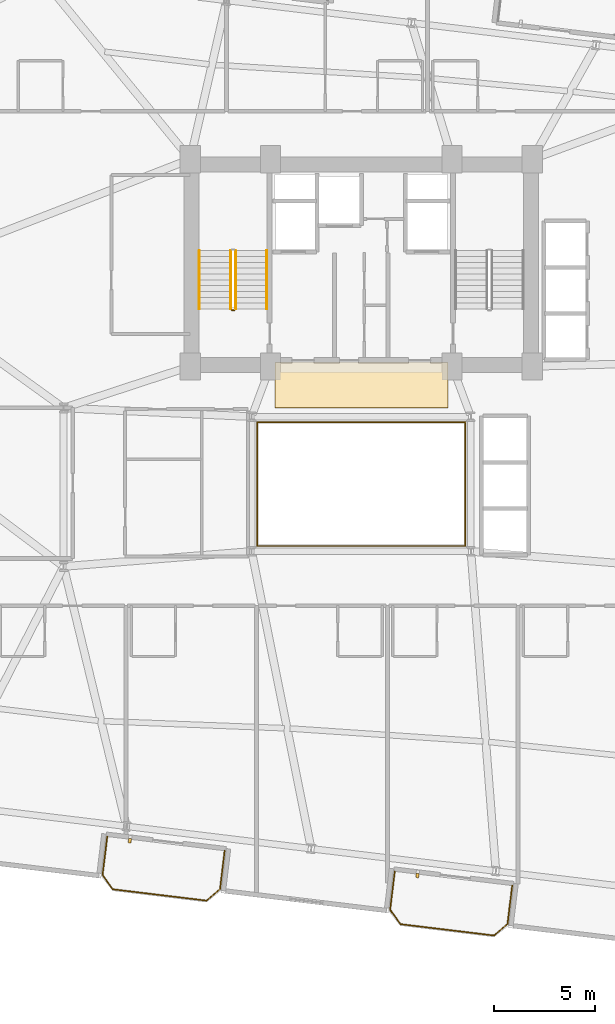
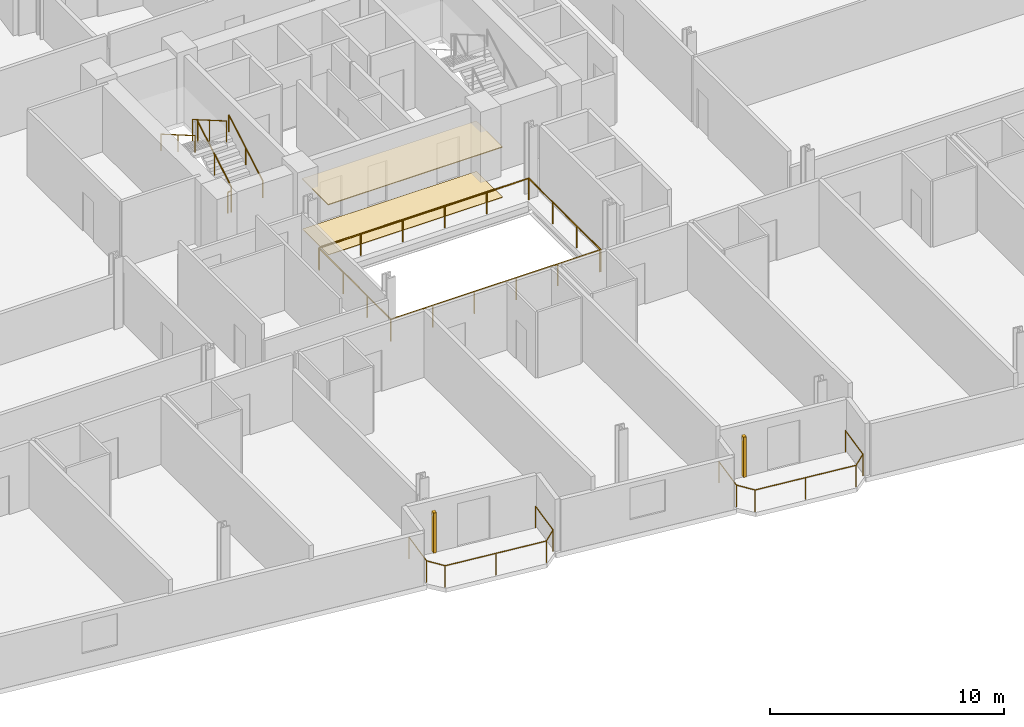
# One storey, part 25 of 26: 9 railings, 2 coverings, 2 shading devices.
"""IFC4 building model written with IfcOpenShell, lengths in metres."""

from ifc_helpers import new_model, si_unit, direction, frame, origin, origin_2d, place, context, subcontext, project, spatial, rectangle, circle, extrude, source, transform, mapped, material, layer, layer_set, type_object, element, save


model = new_model("IFC4")

# Units and contexts
model_context = context("Model", 3, precision=1e-05, world=origin(), true_north=direction((0.0, 1.0)))
body_context = subcontext(model_context, "Body", "Model", "MODEL_VIEW")
ifc_project = project(units=[si_unit("LENGTHUNIT", "METRE"), si_unit("AREAUNIT", "SQUARE_METRE"), si_unit("VOLUMEUNIT", "CUBIC_METRE"), si_unit("PLANEANGLEUNIT", "RADIAN"), si_unit("MASSUNIT", "GRAM", prefix="KILO")], contexts=[model_context])

# Site, building, storey
site_placement = place(None, origin())
site = spatial("IfcSite", under=ifc_project, at=site_placement, CompositionType="ELEMENT")
building_placement = place(site_placement, origin())
building = spatial("IfcBuilding", under=site, at=building_placement, Name="Varnelok Gate Tower", CompositionType="ELEMENT")
storey_placement = place(building_placement, frame((0.0, 0.0, 121.699951171875)))
storey = spatial("IfcBuildingStorey", under=building, at=storey_placement, Name="L30", CompositionType="ELEMENT", Elevation=121.699951171875)

# Railings
ifc_material_1 = material(Name="Tempered Laminated Balustrade Glass", Category="glass")
railing_type_1 = type_object("IfcRailingType", Name="RL-ATR-GUARD1150", PredefinedType="GUARDRAIL", material=ifc_material_1)
railing_1_placement = place(storey_placement, frame((34.02001953125, 25.929931640625, 0.0)))
element("IfcRailing", 1, at=railing_1_placement, inside=storey, type_object=railing_type_1, Name="L30 Internal Atrium South-West Guardrail", PredefinedType="GUARDRAIL", context=body_context, shape_type="SweptSolid", body=[
    extrude(circle(Radius=0.02392578125, at=origin_2d()), frame((0.0, 0.0, 1.1259765625), z_axis=(0.0, -1.0, 0.0), x_axis=(1.0, 0.0, 0.0)), (0.0, 0.0, 1.0), 6.10986328125),
    extrude(circle(Radius=0.02392578125, at=origin_2d()), frame((0.0, -6.10986328125, 1.1259765625), z_axis=(1.0, 0.0, 0.0), x_axis=(0.0, 1.0, 0.0)), (0.0, 0.0, 1.0), 10.31005859375),
    extrude(circle(Radius=0.02099609375, at=origin_2d()), origin(), (0.0, 0.0, 1.0), 1.101806640625),
    extrude(circle(Radius=0.02099609375, at=origin_2d()), frame((0.0, -2.03662109375, 0.0)), (0.0, 0.0, 1.0), 1.101806640625),
    extrude(circle(Radius=0.02099609375, at=origin_2d()), frame((0.0, -4.0732421875, 0.0)), (0.0, 0.0, 1.0), 1.101806640625),
    extrude(circle(Radius=0.02099609375, at=origin_2d()), frame((0.0, -6.10986328125, 0.0)), (0.0, 0.0, 1.0), 1.101806640625),
    extrude(circle(Radius=0.02099609375, at=origin_2d()), frame((2.06201171875, -6.10986328125, 0.0)), (0.0, 0.0, 1.0), 1.101806640625),
    extrude(circle(Radius=0.02099609375, at=origin_2d()), frame((4.1240234375, -6.10986328125, 0.0)), (0.0, 0.0, 1.0), 1.101806640625),
    extrude(circle(Radius=0.02099609375, at=origin_2d()), frame((6.18603515625, -6.10986328125, 0.0)), (0.0, 0.0, 1.0), 1.101806640625),
    extrude(circle(Radius=0.02099609375, at=origin_2d()), frame((8.248046875, -6.10986328125, 0.0)), (0.0, 0.0, 1.0), 1.101806640625),
    extrude(circle(Radius=0.02099609375, at=origin_2d()), frame((10.31005859375, -6.10986328125, 0.0)), (0.0, 0.0, 1.0), 1.101806640625),
])
railing_2_placement = place(storey_placement, frame((44.3798828125, 19.820068359375, 0.0)))
element("IfcRailing", 2, at=railing_2_placement, inside=storey, type_object=railing_type_1, Name="L30 Internal Atrium North-East Guardrail", PredefinedType="GUARDRAIL", context=body_context, shape_type="SweptSolid", body=[
    extrude(circle(Radius=0.02392578125, at=origin_2d()), frame((0.0, 0.0, 1.1259765625), z_axis=(0.0, 1.0, 0.0), x_axis=(-1.0, 0.0, 0.0)), (0.0, 0.0, 1.0), 6.159912109375),
    extrude(circle(Radius=0.02392578125, at=origin_2d()), frame((0.0, 6.159912109375, 1.1259765625), z_axis=(-1.0, 0.0, 0.0), x_axis=(0.0, -1.0, 0.0)), (0.0, 0.0, 1.0), 10.35986328125),
    extrude(circle(Radius=0.02099609375, at=origin_2d()), origin(), (0.0, 0.0, 1.0), 1.101806640625),
    extrude(circle(Radius=0.02099609375, at=origin_2d()), frame((0.0, 2.05322265625, 0.0)), (0.0, 0.0, 1.0), 1.101806640625),
    extrude(circle(Radius=0.02099609375, at=origin_2d()), frame((0.0, 4.106689453125, 0.0)), (0.0, 0.0, 1.0), 1.101806640625),
    extrude(circle(Radius=0.02099609375, at=origin_2d()), frame((0.0, 6.159912109375, 0.0)), (0.0, 0.0, 1.0), 1.101806640625),
    extrude(circle(Radius=0.02099609375, at=origin_2d()), frame((-2.072021484375, 6.159912109375, 0.0)), (0.0, 0.0, 1.0), 1.101806640625),
    extrude(circle(Radius=0.02099609375, at=origin_2d()), frame((-4.14404296875, 6.159912109375, 0.0)), (0.0, 0.0, 1.0), 1.101806640625),
    extrude(circle(Radius=0.02099609375, at=origin_2d()), frame((-6.2158203125, 6.159912109375, 0.0)), (0.0, 0.0, 1.0), 1.101806640625),
    extrude(circle(Radius=0.02099609375, at=origin_2d()), frame((-8.287841796875, 6.159912109375, 0.0)), (0.0, 0.0, 1.0), 1.101806640625),
    extrude(circle(Radius=0.02099609375, at=origin_2d()), frame((-10.35986328125, 6.159912109375, 0.0)), (0.0, 0.0, 1.0), 1.101806640625),
])
ifc_material_2 = material(Name="Low-E Laminated Double Glazing IGU", Category="glass")
railing_type_2 = type_object("IfcRailingType", Name="RL-BALC-1150", PredefinedType="BALUSTRADE", material=ifc_material_2)
railing_3_placement = place(storey_placement, frame((26.5703125, 5.375, 0.0)))
element("IfcRailing", 3, at=railing_3_placement, inside=storey, type_object=railing_type_2, Name="L30 South Terrace Balustrade 1", PredefinedType="BALUSTRADE", context=body_context, shape_type="SweptSolid", body=[
    extrude(circle(Radius=0.02392578125, at=origin_2d()), frame((0.0, 0.0, 1.1259765625), z_axis=(-0.120293392036, -0.992738384386, 0.0), x_axis=(0.992738384386, -0.120293392036, 0.0)), (0.0, 0.0, 1.0), 1.919921875),
    extrude(circle(Radius=0.02392578125, at=origin_2d()), frame((-0.23095703125, -1.906005859375, 1.1259765625), z_axis=(0.577971037086, -0.816057277579, 0.0), x_axis=(0.816057277579, 0.577971037086, 0.0)), (0.0, 0.0, 1.0), 0.877685546875),
    extrude(circle(Radius=0.02392578125, at=origin_2d()), frame((0.2763671875, -2.622314453125, 1.1259765625), z_axis=(0.992737542139, -0.120300342591, 0.0), x_axis=(0.120300342591, 0.992737542139, 0.0)), (0.0, 0.0, 1.0), 4.7001953125),
    extrude(circle(Radius=0.02392578125, at=origin_2d()), frame((4.9423828125, -3.187744140625, 1.1259765625), z_axis=(0.756303655992, 0.654220742513, 0.0), x_axis=(-0.654220742513, 0.756303655992, 0.0)), (0.0, 0.0, 1.0), 0.877685546875),
    extrude(circle(Radius=0.02392578125, at=origin_2d()), frame((5.606201171875, -2.613525390625, 1.1259765625), z_axis=(0.120418709125, 0.992723191274, 0.0), x_axis=(-0.992723191274, 0.120418709125, 0.0)), (0.0, 0.0, 1.0), 1.919921875),
    extrude(circle(Radius=0.02099609375, at=origin_2d()), origin(), (0.0, 0.0, 1.0), 1.101806640625),
    extrude(circle(Radius=0.02099609375, at=origin_2d()), frame((-0.23095703125, -1.906005859375, 0.0)), (0.0, 0.0, 1.0), 1.101806640625),
    extrude(circle(Radius=0.02099609375, at=origin_2d()), frame((0.2763671875, -2.622314453125, 0.0)), (0.0, 0.0, 1.0), 1.101806640625),
    extrude(circle(Radius=0.02099609375, at=origin_2d()), frame((2.609375, -2.905029296875, 0.0)), (0.0, 0.0, 1.0), 1.101806640625),
    extrude(circle(Radius=0.02099609375, at=origin_2d()), frame((4.9423828125, -3.187744140625, 0.0)), (0.0, 0.0, 1.0), 1.101806640625),
    extrude(circle(Radius=0.02099609375, at=origin_2d()), frame((5.606201171875, -2.613525390625, 0.0)), (0.0, 0.0, 1.0), 1.101806640625),
    extrude(circle(Radius=0.02099609375, at=origin_2d()), frame((5.83740234375, -0.70751953125, 0.0)), (0.0, 0.0, 1.0), 1.101806640625),
])
railing_4_placement = place(storey_placement, frame((40.86572265625, 3.64208984375, 0.0)))
element("IfcRailing", 4, at=railing_4_placement, inside=storey, type_object=railing_type_2, Name="L30 South Terrace Balustrade 2", PredefinedType="BALUSTRADE", context=body_context, shape_type="SweptSolid", body=[
    extrude(circle(Radius=0.02392578125, at=origin_2d()), frame((0.0, 0.0, 1.1259765625), z_axis=(-0.120418709125, -0.992723191274, 0.0), x_axis=(0.992723191274, -0.120418709125, 0.0)), (0.0, 0.0, 1.0), 1.919921875),
    extrude(circle(Radius=0.02392578125, at=origin_2d()), frame((-0.231201171875, -1.906005859375, 1.1259765625), z_axis=(0.57815621837, -0.815926091726, 0.0), x_axis=(0.815926091726, 0.57815621837, 0.0)), (0.0, 0.0, 1.0), 0.8779296875),
    extrude(circle(Radius=0.02392578125, at=origin_2d()), frame((0.2763671875, -2.622314453125, 1.1259765625), z_axis=(0.99273133746, -0.120351533534, 0.0), x_axis=(0.120351533534, 0.99273133746, 0.0)), (0.0, 0.0, 1.0), 4.7001953125),
    extrude(circle(Radius=0.02392578125, at=origin_2d()), frame((4.9423828125, -3.18798828125, 1.1259765625), z_axis=(0.756166036083, 0.654379802465, 0.0), x_axis=(-0.654379802465, 0.756166036083, 0.0)), (0.0, 0.0, 1.0), 0.8779296875),
    extrude(circle(Radius=0.02392578125, at=origin_2d()), frame((5.606201171875, -2.613525390625, 1.1259765625), z_axis=(0.120293392036, 0.992738384386, 0.0), x_axis=(-0.992738384386, 0.120293392036, 0.0)), (0.0, 0.0, 1.0), 1.919921875),
    extrude(circle(Radius=0.02099609375, at=origin_2d()), origin(), (0.0, 0.0, 1.0), 1.101806640625),
    extrude(circle(Radius=0.02099609375, at=origin_2d()), frame((-0.231201171875, -1.906005859375, 0.0)), (0.0, 0.0, 1.0), 1.101806640625),
    extrude(circle(Radius=0.02099609375, at=origin_2d()), frame((0.2763671875, -2.622314453125, 0.0)), (0.0, 0.0, 1.0), 1.101806640625),
    extrude(circle(Radius=0.02099609375, at=origin_2d()), frame((2.609375, -2.9052734375, 0.0)), (0.0, 0.0, 1.0), 1.101806640625),
    extrude(circle(Radius=0.02099609375, at=origin_2d()), frame((4.9423828125, -3.18798828125, 0.0)), (0.0, 0.0, 1.0), 1.101806640625),
    extrude(circle(Radius=0.02099609375, at=origin_2d()), frame((5.606201171875, -2.613525390625, 0.0)), (0.0, 0.0, 1.0), 1.101806640625),
    extrude(circle(Radius=0.02099609375, at=origin_2d()), frame((5.837158203125, -0.70751953125, 0.0)), (0.0, 0.0, 1.0), 1.101806640625),
])
ifc_material_3 = material(Name="Brushed Stainless Steel AISI 316", Category="steel")
railing_type_3 = type_object("IfcRailingType", Name="RL-HANDRAIL-900", PredefinedType="HANDRAIL", material=ifc_material_3)
railing_5_placement = place(storey_placement, frame((34.5, 31.60009765625, 0.168212890625)))
element("IfcRailing", 5, at=railing_5_placement, inside=storey, type_object=railing_type_3, Name="L30 ST-1 stair handrail 1", PredefinedType="HANDRAIL", context=body_context, shape_type="SweptSolid", body=[
    extrude(circle(Radius=0.02392578125, at=origin_2d()), frame((0.0, 0.0, 0.8759765625), z_axis=(0.0, 0.865038774852, 0.501705010941), x_axis=(-1.0, 0.0, 0.0)), (0.0, 0.0, 1.0), 3.352294921875),
    extrude(circle(Radius=0.02099609375, at=origin_2d()), origin(), (0.0, 0.0, 1.0), 0.851806640625),
    extrude(circle(Radius=0.02099609375, at=origin_2d()), frame((0.0, 1.449951171875, 0.8408203125)), (0.0, 0.0, 1.0), 0.851806640625),
    extrude(circle(Radius=0.02099609375, at=origin_2d()), frame((0.0, 2.89990234375, 1.681884765625)), (0.0, 0.0, 1.0), 0.851806640625),
])
railing_6_placement = place(storey_placement, frame((31.14990234375, 34.5, 2.018310546875)))
element("IfcRailing", 6, at=railing_6_placement, inside=storey, type_object=railing_type_3, Name="L30 ST-1 stair handrail 2", PredefinedType="HANDRAIL", context=body_context, shape_type="SweptSolid", body=[
    extrude(circle(Radius=0.02392578125, at=origin_2d()), frame((0.0, 0.0, 0.8759765625), z_axis=(0.0, -0.86507038078, 0.501650512107), x_axis=(1.0, 0.0, 0.0)), (0.0, 0.0, 1.0), 3.352294921875),
    extrude(circle(Radius=0.02099609375, at=origin_2d()), origin(), (0.0, 0.0, 1.0), 0.851806640625),
    extrude(circle(Radius=0.02099609375, at=origin_2d()), frame((0.0, -1.449951171875, 0.8408203125)), (0.0, 0.0, 1.0), 0.851806640625),
    extrude(circle(Radius=0.02099609375, at=origin_2d()), frame((0.0, -2.89990234375, 1.681640625)), (0.0, 0.0, 1.0), 0.851806640625),
])
ifc_material_4 = material(Name="Galvanized Steel Grade S350GD", Category="steel")
railing_type_4 = type_object("IfcRailingType", Name="RL-STAIR-GUARD1120", PredefinedType="GUARDRAIL", material=ifc_material_4)
railing_7_placement = place(storey_placement, frame((32.949951171875, 31.60009765625, 0.168212890625)))
element("IfcRailing", 7, at=railing_7_placement, inside=storey, type_object=railing_type_4, Name="L30 ST-1 stair guard 1", PredefinedType="GUARDRAIL", context=body_context, shape_type="SweptSolid", body=[
    extrude(circle(Radius=0.02392578125, at=origin_2d()), frame((0.0, 0.0, 1.09619140625), z_axis=(0.0, 0.865038774852, 0.501705010941), x_axis=(-1.0, 0.0, 0.0)), (0.0, 0.0, 1.0), 3.352294921875),
    extrude(circle(Radius=0.02099609375, at=origin_2d()), origin(), (0.0, 0.0, 1.0), 1.072021484375),
    extrude(circle(Radius=0.02099609375, at=origin_2d()), frame((0.0, 1.449951171875, 0.8408203125)), (0.0, 0.0, 1.0), 1.072021484375),
    extrude(circle(Radius=0.02099609375, at=origin_2d()), frame((0.0, 2.89990234375, 1.681884765625)), (0.0, 0.0, 1.0), 1.072021484375),
])
railing_8_placement = place(storey_placement, frame((32.699951171875, 34.5, 2.018310546875)))
element("IfcRailing", 8, at=railing_8_placement, inside=storey, type_object=railing_type_4, Name="L30 ST-1 stair guard 3", PredefinedType="GUARDRAIL", context=body_context, shape_type="SweptSolid", body=[
    extrude(circle(Radius=0.02392578125, at=origin_2d()), frame((0.0, 0.0, 1.09619140625), z_axis=(0.0, -0.86507038078, 0.501650512107), x_axis=(1.0, 0.0, 0.0)), (0.0, 0.0, 1.0), 3.352294921875),
    extrude(circle(Radius=0.02099609375, at=origin_2d()), origin(), (0.0, 0.0, 1.0), 1.072021484375),
    extrude(circle(Radius=0.02099609375, at=origin_2d()), frame((0.0, -1.449951171875, 0.8408203125)), (0.0, 0.0, 1.0), 1.072021484375),
    extrude(circle(Radius=0.02099609375, at=origin_2d()), frame((0.0, -2.89990234375, 1.681640625)), (0.0, 0.0, 1.0), 1.072021484375),
])
railing_9_placement = place(storey_placement, frame((32.89990234375, 31.550048828125, 0.0)))
element("IfcRailing", 9, at=railing_9_placement, inside=storey, type_object=railing_type_4, Name="L30 ST-1 stair guard 4", PredefinedType="GUARDRAIL", context=body_context, shape_type="SweptSolid", body=[
    extrude(circle(Radius=0.02392578125, at=origin_2d()), frame((0.0, 0.0, 1.09619140625), z_axis=(-1.0, 0.0, 0.0), x_axis=(0.0, -1.0, 0.0)), (0.0, 0.0, 1.0), 0.14990234375),
    extrude(circle(Radius=0.02099609375, at=origin_2d()), origin(), (0.0, 0.0, 1.0), 1.072021484375),
    extrude(circle(Radius=0.02099609375, at=origin_2d()), frame((-0.14990234375, 0.0, 0.0)), (0.0, 0.0, 1.0), 1.072021484375),
])

# Shading devices
ifc_material_5 = material(Name="Glazed Architectural Terracotta Ceramic", Category="masonry")
shading_device_type = type_object("IfcShadingDeviceType", Name="SHD-TERRA-BAGUETTE", PredefinedType="USERDEFINED", material=ifc_material_5)
shared_shape_1 = source(origin(), body_context, "Body", "SweptSolid", [
    extrude(rectangle(XDim=0.139892578125, YDim=0.219970703125, at=origin_2d()), origin(), (0.0, 0.0, 1.0), 2.10009765625),
])
for number, where, z_axis, x_axis, name in (
    (10, (27.693603515625, 5.16845703125, 0.10009765625), (0.0, 0.0, 1.0), (0.992732158755, -0.12034475881, 0.0), "L30 Terracotta Ceramic Baguette Sunscreen 1.1"),
    (11, (41.989013671875, 3.435546875, 0.10009765625), (0.0, 0.0, 1.0), (0.992732158755, -0.12034475881, 0.0), "L30 Terracotta Ceramic Baguette Sunscreen 2.1"),
):
    element("IfcShadingDevice", number, at=place(storey_placement, frame(where, z_axis=z_axis, x_axis=x_axis)), inside=storey, type_object=shading_device_type, Name=name, ObjectType="BAGUETTE", PredefinedType="USERDEFINED", context=body_context, shape_type="MappedRepresentation", body=[
        mapped(shared_shape_1, transform((0.0, 0.0, 0.0), scale=1.0)),
    ])

# Coverings
ifc_material_6 = material(Name="Honed Travertine Stone Flooring", Category="masonry")
ifc_layer_1 = layer(ifc_material_6, 0.02490234375)
ifc_layer_set_1 = layer_set([ifc_layer_1], Name="Honed Travertine Stone Flooring")
covering_type_1 = type_object("IfcCoveringType", Name="COV-FLOR-STONE", PredefinedType="FLOORING", material=ifc_layer_set_1)
shared_shape_2 = source(origin(), body_context, "Body", "SweptSolid", [
    extrude(rectangle(XDim=8.60009765625, YDim=2.219970703125, at=origin_2d()), origin(), (0.0, 0.0, 1.0), 0.02490234375),
])
covering_1_placement = place(storey_placement, frame((39.199951171875, 27.800048828125, 0.0), z_axis=(0.0, 0.0, 1.0), x_axis=(1.0, 0.0, 0.0)))
element("IfcCovering", 12, at=covering_1_placement, inside=storey, type_object=covering_type_1, Name="L30 Core Gallery Stone Flooring", PredefinedType="FLOORING", context=body_context, shape_type="MappedRepresentation", body=[
    mapped(shared_shape_2, transform((0.0, 0.0, 0.0), scale=1.0)),
])
ifc_material_7 = material(Name="Mineral Fiber Acoustic Ceiling Tile")
ifc_layer_2 = layer(ifc_material_7, 0.0400390625)
ifc_layer_set_2 = layer_set([ifc_layer_2], Name="Mineral Fiber Acoustic Ceiling Tile")
covering_type_2 = type_object("IfcCoveringType", Name="COV-CEIL-ACOUST", PredefinedType="CEILING", material=ifc_layer_set_2)
shared_shape_3 = source(origin(), body_context, "Body", "SweptSolid", [
    extrude(rectangle(XDim=8.60009765625, YDim=2.239990234375, at=origin_2d()), origin(), (0.0, 0.0, 1.0), 0.0400390625),
])
covering_2_placement = place(storey_placement, frame((39.199951171875, 27.820068359375, 2.60009765625), z_axis=(0.0, 0.0, 1.0), x_axis=(1.0, 0.0, 0.0)))
element("IfcCovering", 13, at=covering_2_placement, inside=storey, type_object=covering_type_2, Name="L30 Core Gallery Acoustic Ceiling", PredefinedType="CEILING", context=body_context, shape_type="MappedRepresentation", body=[
    mapped(shared_shape_3, transform((0.0, 0.0, 0.0), scale=1.0)),
])

save(model, "model.ifc")
